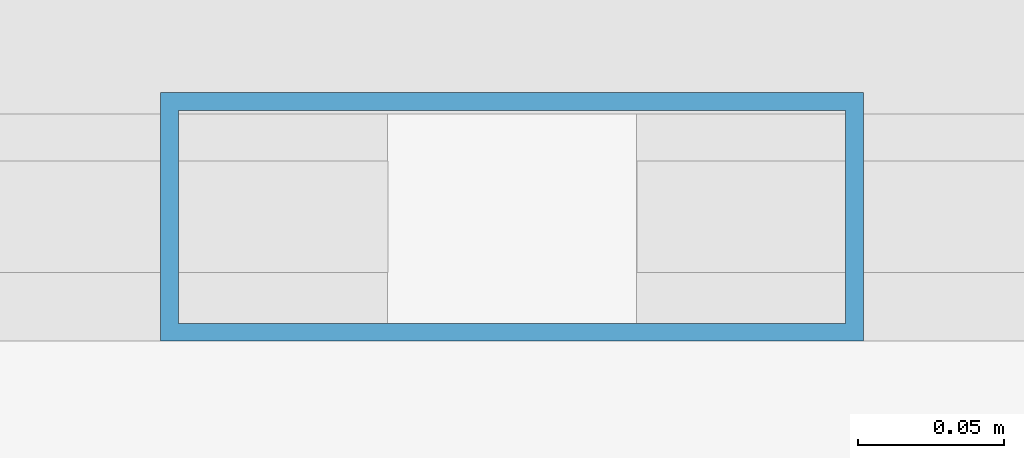
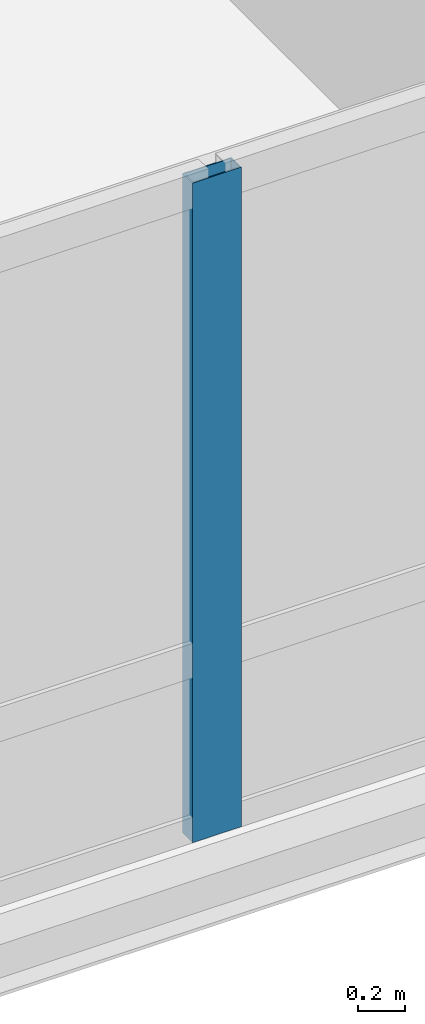
# One storey, part 9 of 29: 1 member, 1 element without a shape of its own.
"""IFC4 building model written with IfcOpenShell, lengths in metres."""

from ifc_helpers import new_model, si_unit, direction, frame, origin, origin_2d, place, context, subcontext, project, spatial, hollow_rectangle, extrude, material, material_profile, profile_set, type_object, element, aggregate, save


model = new_model("IFC4")

# Units and contexts
model_context = context("Model", 3, precision=1e-05, world=origin(), true_north=direction((0.0, 1.0)))
body_context = subcontext(model_context, "Body", "Model", "MODEL_VIEW")
ifc_project = project(units=[si_unit("LENGTHUNIT", "METRE"), si_unit("AREAUNIT", "SQUARE_METRE"), si_unit("VOLUMEUNIT", "CUBIC_METRE"), si_unit("PLANEANGLEUNIT", "RADIAN"), si_unit("MASSUNIT", "GRAM", prefix="KILO")], contexts=[model_context])

# Site, building, storey
site_placement = place(None, origin())
site = spatial("IfcSite", under=ifc_project, at=site_placement, CompositionType="ELEMENT")
building_placement = place(site_placement, origin())
building = spatial("IfcBuilding", under=site, at=building_placement, Name="Khoronbel Lancet Exchange", CompositionType="ELEMENT")
storey_placement = place(building_placement, frame((0.0, 0.0, 329.0)))
storey = spatial("IfcBuildingStorey", under=building, at=storey_placement, Name="L85", CompositionType="ELEMENT", Elevation=329.0)

# Curtain wall, member
ifc_material_1 = material(Name="Low-E Solar Control Insulating Glass", Category="glass")
curtain_wall_type = type_object("IfcCurtainWallType", Name="CW-3", PredefinedType="NOTDEFINED", material=ifc_material_1)
curtain_wall_placement = place(storey_placement, origin())
curtain_wall = element("IfcCurtainWall", 1, at=curtain_wall_placement, inside=storey, type_object=curtain_wall_type, Name="Unitised curtain wall CW-L85-SCV", PredefinedType="NOTDEFINED")
ifc_material_2 = material(Name="Bronze-Anodised Aluminium 6063-T6", Category="aluminium")
ifc_material_profile = material_profile(ifc_material_2, hollow_rectangle(XDim=0.0849609375, YDim=0.239990234375, WallThickness=0.006103515625, at=origin_2d()), Name="ALU MULLION 85x240")
ifc_profile_set = profile_set([ifc_material_profile], Name="Bronze-Anodised Aluminium 6063-T6")
member_type = type_object("IfcMemberType", Name="MEM-CWM1", PredefinedType="MULLION", material=ifc_profile_set)
member_placement = place(storey_placement, frame((36.449951171875, 9.7900390625, 0.0), z_axis=(0.0, 0.0, 1.0), x_axis=(0.0, 1.0, 0.0)))
member = element("IfcMember", 2, at=member_placement, type_object=member_type, Name="CW3 mullion 2", PredefinedType="MULLION", context=body_context, shape_type="SweptSolid", body=[
    extrude(hollow_rectangle(XDim=0.0849609375, YDim=0.239990234375, WallThickness=0.006103515625, at=origin_2d()), origin(), (0.0, 0.0, 1.0), 3.43994140625),
])
aggregate(curtain_wall, [member])

save(model, "model.ifc")
